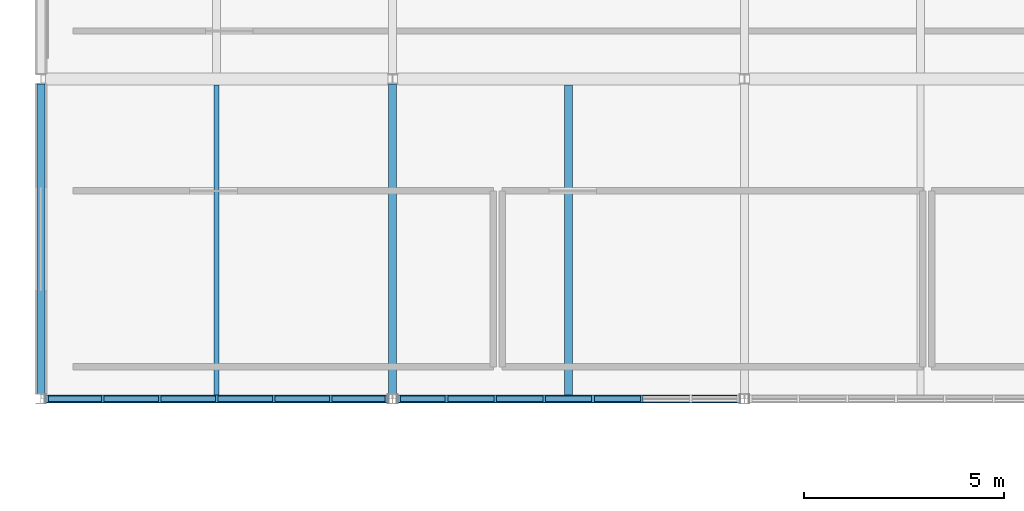
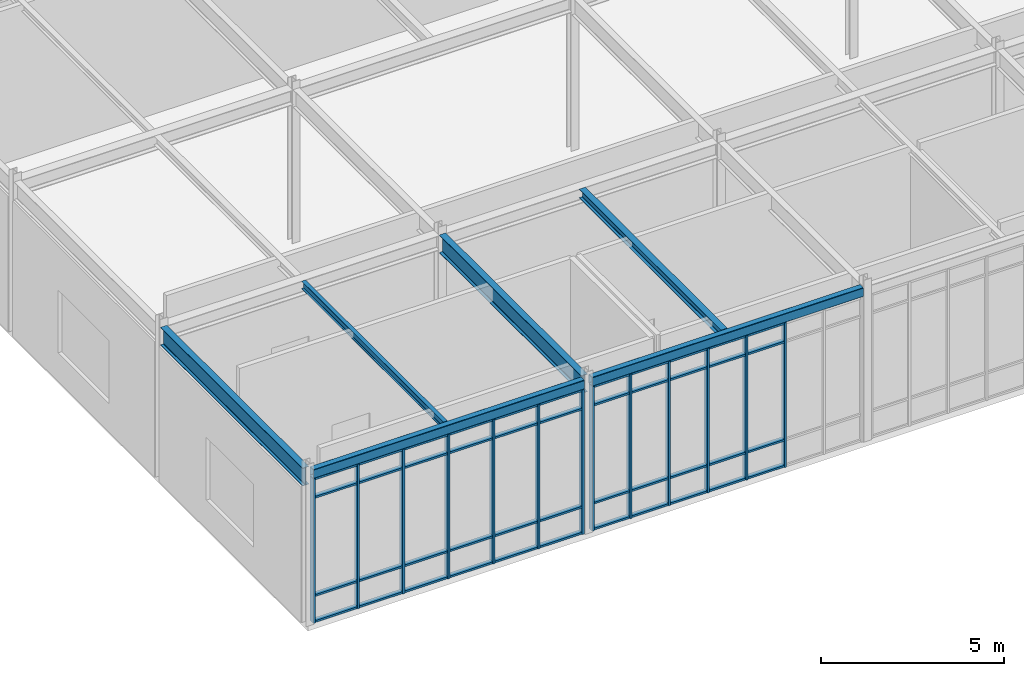
# One storey, part 25 of 184: 57 members, 6 beams, 2 elements without a shape of their own.
"""IFC4 building model written with IfcOpenShell, lengths in metres."""

from ifc_helpers import new_model, si_unit, direction, frame, origin, origin_2d, place, context, subcontext, project, spatial, rectangle, hollow_rectangle, i_section, extrude, material, material_profile, profile_set, type_object, element, aggregate, save


model = new_model("IFC4")

# Units and contexts
model_context = context("Model", 3, precision=1e-05, world=origin(), true_north=direction((0.0, 1.0)))
body_context = subcontext(model_context, "Body", "Model", "MODEL_VIEW")
ifc_project = project(units=[si_unit("LENGTHUNIT", "METRE"), si_unit("AREAUNIT", "SQUARE_METRE"), si_unit("VOLUMEUNIT", "CUBIC_METRE"), si_unit("PLANEANGLEUNIT", "RADIAN"), si_unit("MASSUNIT", "GRAM", prefix="KILO")], contexts=[model_context])

# Site, building, storey
site_placement = place(None, origin())
site = spatial("IfcSite", under=ifc_project, at=site_placement, CompositionType="ELEMENT")
building_placement = place(site_placement, origin())
building = spatial("IfcBuilding", under=site, at=building_placement, Name="Zhaolan Boulevard Law Courts", CompositionType="ELEMENT")
storey_placement = place(building_placement, frame((0.0, 0.0, 5.39990234375)))
storey = spatial("IfcBuildingStorey", under=building, at=storey_placement, Name="L01", CompositionType="ELEMENT", Elevation=5.39990234375)

# Curtain wall, members
ifc_material_1 = material(Name="Thermally broken aluminium and low-E glazing", Category="aluminium")
curtain_wall_type_1 = type_object("IfcCurtainWallType", Name="CURTAIN WALL M4", PredefinedType="USERDEFINED", material=ifc_material_1)
curtain_wall_1_placement = place(storey_placement, origin())
curtain_wall_1 = element("IfcCurtainWall", 1, at=curtain_wall_1_placement, inside=storey, type_object=curtain_wall_type_1, Name="Curtain Wall CW-L01-028", ObjectType="CURTAIN WALL", PredefinedType="USERDEFINED")
ifc_material_2 = material(Name="Fluorocarbon-coated aluminium 6063-T6", Category="aluminium")
ifc_material_profile_1 = material_profile(ifc_material_2, rectangle(XDim=0.179931640625, YDim=0.06494140625, at=origin_2d()), Name="AL65x180")
ifc_profile_set_1 = profile_set([ifc_material_profile_1], Name="Fluorocarbon-coated aluminium 6063-T6")
member_type_1 = type_object("IfcMemberType", Name="CWMULLION 65X180", PredefinedType="MULLION", material=ifc_profile_set_1)
member_1_placement = place(storey_placement, frame((0.159423828125, 6.0, 0.0), z_axis=(0.0, 0.0, 1.0), x_axis=(0.0, 1.0, 0.0)))
member_1 = element("IfcMember", 2, at=member_1_placement, type_object=member_type_1, Name="CW-L01-028 mullion 1", PredefinedType="MULLION", context=body_context, shape_type="SweptSolid", body=[
    extrude(rectangle(XDim=0.179931640625, YDim=0.06494140625, at=origin_2d()), origin(), (0.0, 0.0, 1.0), 4.822998046875),
])
member_2_placement = place(storey_placement, frame((1.55126953125, 6.0, 0.0), z_axis=(0.0, 0.0, 1.0), x_axis=(0.0, 1.0, 0.0)))
member_2 = element("IfcMember", 3, at=member_2_placement, type_object=member_type_1, Name="CW-L01-028 mullion 2", PredefinedType="MULLION", context=body_context, shape_type="SweptSolid", body=[
    extrude(rectangle(XDim=0.179931640625, YDim=0.06494140625, at=origin_2d()), origin(), (0.0, 0.0, 1.0), 4.822998046875),
])
member_3_placement = place(storey_placement, frame((2.9755859375, 6.0, 0.0), z_axis=(0.0, 0.0, 1.0), x_axis=(0.0, 1.0, 0.0)))
member_3 = element("IfcMember", 4, at=member_3_placement, type_object=member_type_1, Name="CW-L01-028 mullion 3", PredefinedType="MULLION", context=body_context, shape_type="SweptSolid", body=[
    extrude(rectangle(XDim=0.179931640625, YDim=0.06494140625, at=origin_2d()), origin(), (0.0, 0.0, 1.0), 4.822998046875),
])
member_4_placement = place(storey_placement, frame((4.39990234375, 6.0, 0.0), z_axis=(0.0, 0.0, 1.0), x_axis=(0.0, 1.0, 0.0)))
member_4 = element("IfcMember", 5, at=member_4_placement, type_object=member_type_1, Name="CW-L01-028 mullion 4", PredefinedType="MULLION", context=body_context, shape_type="SweptSolid", body=[
    extrude(rectangle(XDim=0.179931640625, YDim=0.06494140625, at=origin_2d()), origin(), (0.0, 0.0, 1.0), 4.822998046875),
])
member_5_placement = place(storey_placement, frame((5.82421875, 6.0, 0.0), z_axis=(0.0, 0.0, 1.0), x_axis=(0.0, 1.0, 0.0)))
member_5 = element("IfcMember", 6, at=member_5_placement, type_object=member_type_1, Name="CW-L01-028 mullion 5", PredefinedType="MULLION", context=body_context, shape_type="SweptSolid", body=[
    extrude(rectangle(XDim=0.179931640625, YDim=0.06494140625, at=origin_2d()), origin(), (0.0, 0.0, 1.0), 4.822998046875),
])
member_6_placement = place(storey_placement, frame((7.248779296875, 6.0, 0.0), z_axis=(0.0, 0.0, 1.0), x_axis=(0.0, 1.0, 0.0)))
member_6 = element("IfcMember", 7, at=member_6_placement, type_object=member_type_1, Name="CW-L01-028 mullion 6", PredefinedType="MULLION", context=body_context, shape_type="SweptSolid", body=[
    extrude(rectangle(XDim=0.179931640625, YDim=0.06494140625, at=origin_2d()), origin(), (0.0, 0.0, 1.0), 4.822998046875),
])
member_7_placement = place(storey_placement, frame((8.640380859375, 6.0, 0.0), z_axis=(0.0, 0.0, 1.0), x_axis=(0.0, 1.0, 0.0)))
member_7 = element("IfcMember", 8, at=member_7_placement, type_object=member_type_1, Name="CW-L01-028 mullion 7", PredefinedType="MULLION", context=body_context, shape_type="SweptSolid", body=[
    extrude(rectangle(XDim=0.179931640625, YDim=0.06494140625, at=origin_2d()), origin(), (0.0, 0.0, 1.0), 4.822998046875),
])

ifc_material_3 = material(Name="Thermally broken aluminium and low-E glazing", Category="aluminium")
curtain_wall_type_2 = type_object("IfcCurtainWallType", Name="CURTAIN WALL M5", PredefinedType="USERDEFINED", material=ifc_material_3)
curtain_wall_2_placement = place(storey_placement, origin())
curtain_wall_2 = element("IfcCurtainWall", 9, at=curtain_wall_2_placement, inside=storey, type_object=curtain_wall_type_2, Name="Curtain Wall CW-L01-029", ObjectType="CURTAIN WALL", PredefinedType="USERDEFINED")
member_8_placement = place(storey_placement, frame((8.95947265625, 6.0, 0.0), z_axis=(0.0, 0.0, 1.0), x_axis=(0.0, 1.0, 0.0)))
member_8 = element("IfcMember", 10, at=member_8_placement, type_object=member_type_1, Name="CW-L01-029 mullion 1", PredefinedType="MULLION", context=body_context, shape_type="SweptSolid", body=[
    extrude(rectangle(XDim=0.179931640625, YDim=0.06494140625, at=origin_2d()), origin(), (0.0, 0.0, 1.0), 4.822998046875),
])
member_9_placement = place(storey_placement, frame((10.14794921875, 6.0, 0.0), z_axis=(0.0, 0.0, 1.0), x_axis=(0.0, 1.0, 0.0)))
member_9 = element("IfcMember", 11, at=member_9_placement, type_object=member_type_1, Name="CW-L01-029 mullion 2", PredefinedType="MULLION", context=body_context, shape_type="SweptSolid", body=[
    extrude(rectangle(XDim=0.179931640625, YDim=0.06494140625, at=origin_2d()), origin(), (0.0, 0.0, 1.0), 4.822998046875),
])
member_10_placement = place(storey_placement, frame((11.36865234375, 6.0, 0.0), z_axis=(0.0, 0.0, 1.0), x_axis=(0.0, 1.0, 0.0)))
member_10 = element("IfcMember", 12, at=member_10_placement, type_object=member_type_1, Name="CW-L01-029 mullion 3", PredefinedType="MULLION", context=body_context, shape_type="SweptSolid", body=[
    extrude(rectangle(XDim=0.179931640625, YDim=0.06494140625, at=origin_2d()), origin(), (0.0, 0.0, 1.0), 4.822998046875),
])
member_11_placement = place(storey_placement, frame((12.589599609375, 6.0, 0.0), z_axis=(0.0, 0.0, 1.0), x_axis=(0.0, 1.0, 0.0)))
member_11 = element("IfcMember", 13, at=member_11_placement, type_object=member_type_1, Name="CW-L01-029 mullion 4", PredefinedType="MULLION", context=body_context, shape_type="SweptSolid", body=[
    extrude(rectangle(XDim=0.179931640625, YDim=0.06494140625, at=origin_2d()), origin(), (0.0, 0.0, 1.0), 4.822998046875),
])
member_12_placement = place(storey_placement, frame((13.810546875, 6.0, 0.0), z_axis=(0.0, 0.0, 1.0), x_axis=(0.0, 1.0, 0.0)))
member_12 = element("IfcMember", 14, at=member_12_placement, type_object=member_type_1, Name="CW-L01-029 mullion 5", PredefinedType="MULLION", context=body_context, shape_type="SweptSolid", body=[
    extrude(rectangle(XDim=0.179931640625, YDim=0.06494140625, at=origin_2d()), origin(), (0.0, 0.0, 1.0), 4.822998046875),
])
member_13_placement = place(storey_placement, frame((15.03125, 6.0, 0.0), z_axis=(0.0, 0.0, 1.0), x_axis=(0.0, 1.0, 0.0)))
member_13 = element("IfcMember", 15, at=member_13_placement, type_object=member_type_1, Name="CW-L01-029 mullion 6", PredefinedType="MULLION", context=body_context, shape_type="SweptSolid", body=[
    extrude(rectangle(XDim=0.179931640625, YDim=0.06494140625, at=origin_2d()), origin(), (0.0, 0.0, 1.0), 4.822998046875),
])

# Member
ifc_material_4 = material(Name="Fluorocarbon-coated aluminium 6063-T6", Category="aluminium")
ifc_material_profile_2 = material_profile(ifc_material_4, rectangle(XDim=0.139892578125, YDim=0.06494140625, at=origin_2d()), Name="AL65x140")
ifc_profile_set_2 = profile_set([ifc_material_profile_2], Name="Fluorocarbon-coated aluminium 6063-T6")
member_type_2 = type_object("IfcMemberType", Name="CWTRANSOM 65X140", PredefinedType="USERDEFINED", material=ifc_profile_set_2)
member_14_placement = place(storey_placement, frame((0.19189453125, 6.0, 0.03271484375), z_axis=(1.0, 0.0, 0.0), x_axis=(0.0, 1.0, 0.0)))
member_14 = element("IfcMember", 16, at=member_14_placement, type_object=member_type_2, Name="CW-L01-028 transom 1.1", ObjectType="TRANSOM", PredefinedType="USERDEFINED", context=body_context, shape_type="SweptSolid", body=[
    extrude(rectangle(XDim=0.139892578125, YDim=0.06494140625, at=origin_2d()), origin(), (0.0, 0.0, 1.0), 1.326904296875),
])

member_15_placement = place(storey_placement, frame((0.19189453125, 6.0, 0.900146484375), z_axis=(1.0, 0.0, 0.0), x_axis=(0.0, 1.0, 0.0)))
member_15 = element("IfcMember", 17, at=member_15_placement, type_object=member_type_2, Name="CW-L01-028 transom 1.2", ObjectType="TRANSOM", PredefinedType="USERDEFINED", context=body_context, shape_type="SweptSolid", body=[
    extrude(rectangle(XDim=0.139892578125, YDim=0.06494140625, at=origin_2d()), origin(), (0.0, 0.0, 1.0), 1.326904296875),
])

member_16_placement = place(storey_placement, frame((0.19189453125, 6.0, 4.173095703125), z_axis=(1.0, 0.0, 0.0), x_axis=(0.0, 1.0, 0.0)))
member_16 = element("IfcMember", 18, at=member_16_placement, type_object=member_type_2, Name="CW-L01-028 transom 1.3", ObjectType="TRANSOM", PredefinedType="USERDEFINED", context=body_context, shape_type="SweptSolid", body=[
    extrude(rectangle(XDim=0.139892578125, YDim=0.06494140625, at=origin_2d()), origin(), (0.0, 0.0, 1.0), 1.326904296875),
])

member_17_placement = place(storey_placement, frame((0.19189453125, 6.0, 4.79052734375), z_axis=(1.0, 0.0, 0.0), x_axis=(0.0, 1.0, 0.0)))
member_17 = element("IfcMember", 19, at=member_17_placement, type_object=member_type_2, Name="CW-L01-028 transom 1.4", ObjectType="TRANSOM", PredefinedType="USERDEFINED", context=body_context, shape_type="SweptSolid", body=[
    extrude(rectangle(XDim=0.139892578125, YDim=0.06494140625, at=origin_2d()), origin(), (0.0, 0.0, 1.0), 1.326904296875),
])

member_18_placement = place(storey_placement, frame((1.583740234375, 6.0, 0.03271484375), z_axis=(1.0, 0.0, 0.0), x_axis=(0.0, 1.0, 0.0)))
member_18 = element("IfcMember", 20, at=member_18_placement, type_object=member_type_2, Name="CW-L01-028 transom 2.1", ObjectType="TRANSOM", PredefinedType="USERDEFINED", context=body_context, shape_type="SweptSolid", body=[
    extrude(rectangle(XDim=0.139892578125, YDim=0.06494140625, at=origin_2d()), origin(), (0.0, 0.0, 1.0), 1.359375),
])

member_19_placement = place(storey_placement, frame((1.583740234375, 6.0, 0.900146484375), z_axis=(1.0, 0.0, 0.0), x_axis=(0.0, 1.0, 0.0)))
member_19 = element("IfcMember", 21, at=member_19_placement, type_object=member_type_2, Name="CW-L01-028 transom 2.2", ObjectType="TRANSOM", PredefinedType="USERDEFINED", context=body_context, shape_type="SweptSolid", body=[
    extrude(rectangle(XDim=0.139892578125, YDim=0.06494140625, at=origin_2d()), origin(), (0.0, 0.0, 1.0), 1.359375),
])

member_20_placement = place(storey_placement, frame((1.583740234375, 6.0, 4.173095703125), z_axis=(1.0, 0.0, 0.0), x_axis=(0.0, 1.0, 0.0)))
member_20 = element("IfcMember", 22, at=member_20_placement, type_object=member_type_2, Name="CW-L01-028 transom 2.3", ObjectType="TRANSOM", PredefinedType="USERDEFINED", context=body_context, shape_type="SweptSolid", body=[
    extrude(rectangle(XDim=0.139892578125, YDim=0.06494140625, at=origin_2d()), origin(), (0.0, 0.0, 1.0), 1.359375),
])

member_21_placement = place(storey_placement, frame((1.583740234375, 6.0, 4.79052734375), z_axis=(1.0, 0.0, 0.0), x_axis=(0.0, 1.0, 0.0)))
member_21 = element("IfcMember", 23, at=member_21_placement, type_object=member_type_2, Name="CW-L01-028 transom 2.4", ObjectType="TRANSOM", PredefinedType="USERDEFINED", context=body_context, shape_type="SweptSolid", body=[
    extrude(rectangle(XDim=0.139892578125, YDim=0.06494140625, at=origin_2d()), origin(), (0.0, 0.0, 1.0), 1.359375),
])

member_22_placement = place(storey_placement, frame((3.008056640625, 6.0, 0.03271484375), z_axis=(1.0, 0.0, 0.0), x_axis=(0.0, 1.0, 0.0)))
member_22 = element("IfcMember", 24, at=member_22_placement, type_object=member_type_2, Name="CW-L01-028 transom 3.1", ObjectType="TRANSOM", PredefinedType="USERDEFINED", context=body_context, shape_type="SweptSolid", body=[
    extrude(rectangle(XDim=0.139892578125, YDim=0.06494140625, at=origin_2d()), origin(), (0.0, 0.0, 1.0), 1.359375),
])

member_23_placement = place(storey_placement, frame((3.008056640625, 6.0, 0.900146484375), z_axis=(1.0, 0.0, 0.0), x_axis=(0.0, 1.0, 0.0)))
member_23 = element("IfcMember", 25, at=member_23_placement, type_object=member_type_2, Name="CW-L01-028 transom 3.2", ObjectType="TRANSOM", PredefinedType="USERDEFINED", context=body_context, shape_type="SweptSolid", body=[
    extrude(rectangle(XDim=0.139892578125, YDim=0.06494140625, at=origin_2d()), origin(), (0.0, 0.0, 1.0), 1.359375),
])

member_24_placement = place(storey_placement, frame((3.008056640625, 6.0, 4.173095703125), z_axis=(1.0, 0.0, 0.0), x_axis=(0.0, 1.0, 0.0)))
member_24 = element("IfcMember", 26, at=member_24_placement, type_object=member_type_2, Name="CW-L01-028 transom 3.3", ObjectType="TRANSOM", PredefinedType="USERDEFINED", context=body_context, shape_type="SweptSolid", body=[
    extrude(rectangle(XDim=0.139892578125, YDim=0.06494140625, at=origin_2d()), origin(), (0.0, 0.0, 1.0), 1.359375),
])

member_25_placement = place(storey_placement, frame((3.008056640625, 6.0, 4.79052734375), z_axis=(1.0, 0.0, 0.0), x_axis=(0.0, 1.0, 0.0)))
member_25 = element("IfcMember", 27, at=member_25_placement, type_object=member_type_2, Name="CW-L01-028 transom 3.4", ObjectType="TRANSOM", PredefinedType="USERDEFINED", context=body_context, shape_type="SweptSolid", body=[
    extrude(rectangle(XDim=0.139892578125, YDim=0.06494140625, at=origin_2d()), origin(), (0.0, 0.0, 1.0), 1.359375),
])

member_26_placement = place(storey_placement, frame((4.4326171875, 6.0, 0.03271484375), z_axis=(1.0, 0.0, 0.0), x_axis=(0.0, 1.0, 0.0)))
member_26 = element("IfcMember", 28, at=member_26_placement, type_object=member_type_2, Name="CW-L01-028 transom 4.1", ObjectType="TRANSOM", PredefinedType="USERDEFINED", context=body_context, shape_type="SweptSolid", body=[
    extrude(rectangle(XDim=0.139892578125, YDim=0.06494140625, at=origin_2d()), origin(), (0.0, 0.0, 1.0), 1.359130859375),
])

member_27_placement = place(storey_placement, frame((4.4326171875, 6.0, 0.900146484375), z_axis=(1.0, 0.0, 0.0), x_axis=(0.0, 1.0, 0.0)))
member_27 = element("IfcMember", 29, at=member_27_placement, type_object=member_type_2, Name="CW-L01-028 transom 4.2", ObjectType="TRANSOM", PredefinedType="USERDEFINED", context=body_context, shape_type="SweptSolid", body=[
    extrude(rectangle(XDim=0.139892578125, YDim=0.06494140625, at=origin_2d()), origin(), (0.0, 0.0, 1.0), 1.359130859375),
])

member_28_placement = place(storey_placement, frame((4.4326171875, 6.0, 4.173095703125), z_axis=(1.0, 0.0, 0.0), x_axis=(0.0, 1.0, 0.0)))
member_28 = element("IfcMember", 30, at=member_28_placement, type_object=member_type_2, Name="CW-L01-028 transom 4.3", ObjectType="TRANSOM", PredefinedType="USERDEFINED", context=body_context, shape_type="SweptSolid", body=[
    extrude(rectangle(XDim=0.139892578125, YDim=0.06494140625, at=origin_2d()), origin(), (0.0, 0.0, 1.0), 1.359130859375),
])

member_29_placement = place(storey_placement, frame((4.4326171875, 6.0, 4.79052734375), z_axis=(1.0, 0.0, 0.0), x_axis=(0.0, 1.0, 0.0)))
member_29 = element("IfcMember", 31, at=member_29_placement, type_object=member_type_2, Name="CW-L01-028 transom 4.4", ObjectType="TRANSOM", PredefinedType="USERDEFINED", context=body_context, shape_type="SweptSolid", body=[
    extrude(rectangle(XDim=0.139892578125, YDim=0.06494140625, at=origin_2d()), origin(), (0.0, 0.0, 1.0), 1.359130859375),
])

member_30_placement = place(storey_placement, frame((5.85693359375, 6.0, 0.03271484375), z_axis=(1.0, 0.0, 0.0), x_axis=(0.0, 1.0, 0.0)))
member_30 = element("IfcMember", 32, at=member_30_placement, type_object=member_type_2, Name="CW-L01-028 transom 5.1", ObjectType="TRANSOM", PredefinedType="USERDEFINED", context=body_context, shape_type="SweptSolid", body=[
    extrude(rectangle(XDim=0.139892578125, YDim=0.06494140625, at=origin_2d()), origin(), (0.0, 0.0, 1.0), 1.359130859375),
])

member_31_placement = place(storey_placement, frame((5.85693359375, 6.0, 0.900146484375), z_axis=(1.0, 0.0, 0.0), x_axis=(0.0, 1.0, 0.0)))
member_31 = element("IfcMember", 33, at=member_31_placement, type_object=member_type_2, Name="CW-L01-028 transom 5.2", ObjectType="TRANSOM", PredefinedType="USERDEFINED", context=body_context, shape_type="SweptSolid", body=[
    extrude(rectangle(XDim=0.139892578125, YDim=0.06494140625, at=origin_2d()), origin(), (0.0, 0.0, 1.0), 1.359130859375),
])

member_32_placement = place(storey_placement, frame((5.85693359375, 6.0, 4.173095703125), z_axis=(1.0, 0.0, 0.0), x_axis=(0.0, 1.0, 0.0)))
member_32 = element("IfcMember", 34, at=member_32_placement, type_object=member_type_2, Name="CW-L01-028 transom 5.3", ObjectType="TRANSOM", PredefinedType="USERDEFINED", context=body_context, shape_type="SweptSolid", body=[
    extrude(rectangle(XDim=0.139892578125, YDim=0.06494140625, at=origin_2d()), origin(), (0.0, 0.0, 1.0), 1.359130859375),
])

member_33_placement = place(storey_placement, frame((5.85693359375, 6.0, 4.79052734375), z_axis=(1.0, 0.0, 0.0), x_axis=(0.0, 1.0, 0.0)))
member_33 = element("IfcMember", 35, at=member_33_placement, type_object=member_type_2, Name="CW-L01-028 transom 5.4", ObjectType="TRANSOM", PredefinedType="USERDEFINED", context=body_context, shape_type="SweptSolid", body=[
    extrude(rectangle(XDim=0.139892578125, YDim=0.06494140625, at=origin_2d()), origin(), (0.0, 0.0, 1.0), 1.359130859375),
])

member_34_placement = place(storey_placement, frame((7.28125, 6.0, 0.03271484375), z_axis=(1.0, 0.0, 0.0), x_axis=(0.0, 1.0, 0.0)))
member_34 = element("IfcMember", 36, at=member_34_placement, type_object=member_type_2, Name="CW-L01-028 transom 6.1", ObjectType="TRANSOM", PredefinedType="USERDEFINED", context=body_context, shape_type="SweptSolid", body=[
    extrude(rectangle(XDim=0.139892578125, YDim=0.06494140625, at=origin_2d()), origin(), (0.0, 0.0, 1.0), 1.32666015625),
])

member_35_placement = place(storey_placement, frame((7.28125, 6.0, 0.900146484375), z_axis=(1.0, 0.0, 0.0), x_axis=(0.0, 1.0, 0.0)))
member_35 = element("IfcMember", 37, at=member_35_placement, type_object=member_type_2, Name="CW-L01-028 transom 6.2", ObjectType="TRANSOM", PredefinedType="USERDEFINED", context=body_context, shape_type="SweptSolid", body=[
    extrude(rectangle(XDim=0.139892578125, YDim=0.06494140625, at=origin_2d()), origin(), (0.0, 0.0, 1.0), 1.32666015625),
])

member_36_placement = place(storey_placement, frame((7.28125, 6.0, 4.173095703125), z_axis=(1.0, 0.0, 0.0), x_axis=(0.0, 1.0, 0.0)))
member_36 = element("IfcMember", 38, at=member_36_placement, type_object=member_type_2, Name="CW-L01-028 transom 6.3", ObjectType="TRANSOM", PredefinedType="USERDEFINED", context=body_context, shape_type="SweptSolid", body=[
    extrude(rectangle(XDim=0.139892578125, YDim=0.06494140625, at=origin_2d()), origin(), (0.0, 0.0, 1.0), 1.32666015625),
])

member_37_placement = place(storey_placement, frame((7.28125, 6.0, 4.79052734375), z_axis=(1.0, 0.0, 0.0), x_axis=(0.0, 1.0, 0.0)))
member_37 = element("IfcMember", 39, at=member_37_placement, type_object=member_type_2, Name="CW-L01-028 transom 6.4", ObjectType="TRANSOM", PredefinedType="USERDEFINED", context=body_context, shape_type="SweptSolid", body=[
    extrude(rectangle(XDim=0.139892578125, YDim=0.06494140625, at=origin_2d()), origin(), (0.0, 0.0, 1.0), 1.32666015625),
])

aggregate(curtain_wall_1, [member_1, member_2, member_3, member_4, member_5, member_6, member_7, member_14, member_15, member_16, member_17, member_18, member_19, member_20, member_21, member_22, member_23, member_24, member_25, member_26, member_27, member_28, member_29, member_30, member_31, member_32, member_33, member_34, member_35, member_36, member_37])

member_38_placement = place(storey_placement, frame((8.991943359375, 6.0, 0.03271484375), z_axis=(1.0, 0.0, 0.0), x_axis=(0.0, 1.0, 0.0)))
member_38 = element("IfcMember", 40, at=member_38_placement, type_object=member_type_2, Name="CW-L01-029 transom 1.1", ObjectType="TRANSOM", PredefinedType="USERDEFINED", context=body_context, shape_type="SweptSolid", body=[
    extrude(rectangle(XDim=0.139892578125, YDim=0.06494140625, at=origin_2d()), origin(), (0.0, 0.0, 1.0), 1.12353515625),
])

member_39_placement = place(storey_placement, frame((8.991943359375, 6.0, 0.900146484375), z_axis=(1.0, 0.0, 0.0), x_axis=(0.0, 1.0, 0.0)))
member_39 = element("IfcMember", 41, at=member_39_placement, type_object=member_type_2, Name="CW-L01-029 transom 1.2", ObjectType="TRANSOM", PredefinedType="USERDEFINED", context=body_context, shape_type="SweptSolid", body=[
    extrude(rectangle(XDim=0.139892578125, YDim=0.06494140625, at=origin_2d()), origin(), (0.0, 0.0, 1.0), 1.12353515625),
])

member_40_placement = place(storey_placement, frame((8.991943359375, 6.0, 4.173095703125), z_axis=(1.0, 0.0, 0.0), x_axis=(0.0, 1.0, 0.0)))
member_40 = element("IfcMember", 42, at=member_40_placement, type_object=member_type_2, Name="CW-L01-029 transom 1.3", ObjectType="TRANSOM", PredefinedType="USERDEFINED", context=body_context, shape_type="SweptSolid", body=[
    extrude(rectangle(XDim=0.139892578125, YDim=0.06494140625, at=origin_2d()), origin(), (0.0, 0.0, 1.0), 1.12353515625),
])

member_41_placement = place(storey_placement, frame((8.991943359375, 6.0, 4.79052734375), z_axis=(1.0, 0.0, 0.0), x_axis=(0.0, 1.0, 0.0)))
member_41 = element("IfcMember", 43, at=member_41_placement, type_object=member_type_2, Name="CW-L01-029 transom 1.4", ObjectType="TRANSOM", PredefinedType="USERDEFINED", context=body_context, shape_type="SweptSolid", body=[
    extrude(rectangle(XDim=0.139892578125, YDim=0.06494140625, at=origin_2d()), origin(), (0.0, 0.0, 1.0), 1.12353515625),
])

member_42_placement = place(storey_placement, frame((10.180419921875, 6.0, 0.03271484375), z_axis=(1.0, 0.0, 0.0), x_axis=(0.0, 1.0, 0.0)))
member_42 = element("IfcMember", 44, at=member_42_placement, type_object=member_type_2, Name="CW-L01-029 transom 2.1", ObjectType="TRANSOM", PredefinedType="USERDEFINED", context=body_context, shape_type="SweptSolid", body=[
    extrude(rectangle(XDim=0.139892578125, YDim=0.06494140625, at=origin_2d()), origin(), (0.0, 0.0, 1.0), 1.15576171875),
])

member_43_placement = place(storey_placement, frame((10.180419921875, 6.0, 0.900146484375), z_axis=(1.0, 0.0, 0.0), x_axis=(0.0, 1.0, 0.0)))
member_43 = element("IfcMember", 45, at=member_43_placement, type_object=member_type_2, Name="CW-L01-029 transom 2.2", ObjectType="TRANSOM", PredefinedType="USERDEFINED", context=body_context, shape_type="SweptSolid", body=[
    extrude(rectangle(XDim=0.139892578125, YDim=0.06494140625, at=origin_2d()), origin(), (0.0, 0.0, 1.0), 1.15576171875),
])

member_44_placement = place(storey_placement, frame((10.180419921875, 6.0, 4.173095703125), z_axis=(1.0, 0.0, 0.0), x_axis=(0.0, 1.0, 0.0)))
member_44 = element("IfcMember", 46, at=member_44_placement, type_object=member_type_2, Name="CW-L01-029 transom 2.3", ObjectType="TRANSOM", PredefinedType="USERDEFINED", context=body_context, shape_type="SweptSolid", body=[
    extrude(rectangle(XDim=0.139892578125, YDim=0.06494140625, at=origin_2d()), origin(), (0.0, 0.0, 1.0), 1.15576171875),
])

member_45_placement = place(storey_placement, frame((10.180419921875, 6.0, 4.79052734375), z_axis=(1.0, 0.0, 0.0), x_axis=(0.0, 1.0, 0.0)))
member_45 = element("IfcMember", 47, at=member_45_placement, type_object=member_type_2, Name="CW-L01-029 transom 2.4", ObjectType="TRANSOM", PredefinedType="USERDEFINED", context=body_context, shape_type="SweptSolid", body=[
    extrude(rectangle(XDim=0.139892578125, YDim=0.06494140625, at=origin_2d()), origin(), (0.0, 0.0, 1.0), 1.15576171875),
])

member_46_placement = place(storey_placement, frame((11.401123046875, 6.0, 0.03271484375), z_axis=(1.0, 0.0, 0.0), x_axis=(0.0, 1.0, 0.0)))
member_46 = element("IfcMember", 48, at=member_46_placement, type_object=member_type_2, Name="CW-L01-029 transom 3.1", ObjectType="TRANSOM", PredefinedType="USERDEFINED", context=body_context, shape_type="SweptSolid", body=[
    extrude(rectangle(XDim=0.139892578125, YDim=0.06494140625, at=origin_2d()), origin(), (0.0, 0.0, 1.0), 1.156005859375),
])

member_47_placement = place(storey_placement, frame((11.401123046875, 6.0, 0.900146484375), z_axis=(1.0, 0.0, 0.0), x_axis=(0.0, 1.0, 0.0)))
member_47 = element("IfcMember", 49, at=member_47_placement, type_object=member_type_2, Name="CW-L01-029 transom 3.2", ObjectType="TRANSOM", PredefinedType="USERDEFINED", context=body_context, shape_type="SweptSolid", body=[
    extrude(rectangle(XDim=0.139892578125, YDim=0.06494140625, at=origin_2d()), origin(), (0.0, 0.0, 1.0), 1.156005859375),
])

member_48_placement = place(storey_placement, frame((11.401123046875, 6.0, 4.173095703125), z_axis=(1.0, 0.0, 0.0), x_axis=(0.0, 1.0, 0.0)))
member_48 = element("IfcMember", 50, at=member_48_placement, type_object=member_type_2, Name="CW-L01-029 transom 3.3", ObjectType="TRANSOM", PredefinedType="USERDEFINED", context=body_context, shape_type="SweptSolid", body=[
    extrude(rectangle(XDim=0.139892578125, YDim=0.06494140625, at=origin_2d()), origin(), (0.0, 0.0, 1.0), 1.156005859375),
])

member_49_placement = place(storey_placement, frame((11.401123046875, 6.0, 4.79052734375), z_axis=(1.0, 0.0, 0.0), x_axis=(0.0, 1.0, 0.0)))
member_49 = element("IfcMember", 51, at=member_49_placement, type_object=member_type_2, Name="CW-L01-029 transom 3.4", ObjectType="TRANSOM", PredefinedType="USERDEFINED", context=body_context, shape_type="SweptSolid", body=[
    extrude(rectangle(XDim=0.139892578125, YDim=0.06494140625, at=origin_2d()), origin(), (0.0, 0.0, 1.0), 1.156005859375),
])

member_50_placement = place(storey_placement, frame((12.6220703125, 6.0, 0.03271484375), z_axis=(1.0, 0.0, 0.0), x_axis=(0.0, 1.0, 0.0)))
member_50 = element("IfcMember", 52, at=member_50_placement, type_object=member_type_2, Name="CW-L01-029 transom 4.1", ObjectType="TRANSOM", PredefinedType="USERDEFINED", context=body_context, shape_type="SweptSolid", body=[
    extrude(rectangle(XDim=0.139892578125, YDim=0.06494140625, at=origin_2d()), origin(), (0.0, 0.0, 1.0), 1.15576171875),
])

member_51_placement = place(storey_placement, frame((12.6220703125, 6.0, 0.900146484375), z_axis=(1.0, 0.0, 0.0), x_axis=(0.0, 1.0, 0.0)))
member_51 = element("IfcMember", 53, at=member_51_placement, type_object=member_type_2, Name="CW-L01-029 transom 4.2", ObjectType="TRANSOM", PredefinedType="USERDEFINED", context=body_context, shape_type="SweptSolid", body=[
    extrude(rectangle(XDim=0.139892578125, YDim=0.06494140625, at=origin_2d()), origin(), (0.0, 0.0, 1.0), 1.15576171875),
])

member_52_placement = place(storey_placement, frame((12.6220703125, 6.0, 4.173095703125), z_axis=(1.0, 0.0, 0.0), x_axis=(0.0, 1.0, 0.0)))
member_52 = element("IfcMember", 54, at=member_52_placement, type_object=member_type_2, Name="CW-L01-029 transom 4.3", ObjectType="TRANSOM", PredefinedType="USERDEFINED", context=body_context, shape_type="SweptSolid", body=[
    extrude(rectangle(XDim=0.139892578125, YDim=0.06494140625, at=origin_2d()), origin(), (0.0, 0.0, 1.0), 1.15576171875),
])

member_53_placement = place(storey_placement, frame((12.6220703125, 6.0, 4.79052734375), z_axis=(1.0, 0.0, 0.0), x_axis=(0.0, 1.0, 0.0)))
member_53 = element("IfcMember", 55, at=member_53_placement, type_object=member_type_2, Name="CW-L01-029 transom 4.4", ObjectType="TRANSOM", PredefinedType="USERDEFINED", context=body_context, shape_type="SweptSolid", body=[
    extrude(rectangle(XDim=0.139892578125, YDim=0.06494140625, at=origin_2d()), origin(), (0.0, 0.0, 1.0), 1.15576171875),
])

member_54_placement = place(storey_placement, frame((13.843017578125, 6.0, 0.03271484375), z_axis=(1.0, 0.0, 0.0), x_axis=(0.0, 1.0, 0.0)))
member_54 = element("IfcMember", 56, at=member_54_placement, type_object=member_type_2, Name="CW-L01-029 transom 5.1", ObjectType="TRANSOM", PredefinedType="USERDEFINED", context=body_context, shape_type="SweptSolid", body=[
    extrude(rectangle(XDim=0.139892578125, YDim=0.06494140625, at=origin_2d()), origin(), (0.0, 0.0, 1.0), 1.15576171875),
])

member_55_placement = place(storey_placement, frame((13.843017578125, 6.0, 0.900146484375), z_axis=(1.0, 0.0, 0.0), x_axis=(0.0, 1.0, 0.0)))
member_55 = element("IfcMember", 57, at=member_55_placement, type_object=member_type_2, Name="CW-L01-029 transom 5.2", ObjectType="TRANSOM", PredefinedType="USERDEFINED", context=body_context, shape_type="SweptSolid", body=[
    extrude(rectangle(XDim=0.139892578125, YDim=0.06494140625, at=origin_2d()), origin(), (0.0, 0.0, 1.0), 1.15576171875),
])

member_56_placement = place(storey_placement, frame((13.843017578125, 6.0, 4.173095703125), z_axis=(1.0, 0.0, 0.0), x_axis=(0.0, 1.0, 0.0)))
member_56 = element("IfcMember", 58, at=member_56_placement, type_object=member_type_2, Name="CW-L01-029 transom 5.3", ObjectType="TRANSOM", PredefinedType="USERDEFINED", context=body_context, shape_type="SweptSolid", body=[
    extrude(rectangle(XDim=0.139892578125, YDim=0.06494140625, at=origin_2d()), origin(), (0.0, 0.0, 1.0), 1.15576171875),
])

member_57_placement = place(storey_placement, frame((13.843017578125, 6.0, 4.79052734375), z_axis=(1.0, 0.0, 0.0), x_axis=(0.0, 1.0, 0.0)))
member_57 = element("IfcMember", 59, at=member_57_placement, type_object=member_type_2, Name="CW-L01-029 transom 5.4", ObjectType="TRANSOM", PredefinedType="USERDEFINED", context=body_context, shape_type="SweptSolid", body=[
    extrude(rectangle(XDim=0.139892578125, YDim=0.06494140625, at=origin_2d()), origin(), (0.0, 0.0, 1.0), 1.15576171875),
])

aggregate(curtain_wall_2, [member_8, member_9, member_10, member_11, member_12, member_13, member_38, member_39, member_40, member_41, member_42, member_43, member_44, member_45, member_46, member_47, member_48, member_49, member_50, member_51, member_52, member_53, member_54, member_55, member_56, member_57])

# Beams
ifc_material_5 = material(Name="Structural steel Q355B", Category="steel")
ifc_material_profile_3 = material_profile(ifc_material_5, i_section(OverallWidth=0.199951171875, OverallDepth=0.60009765625, WebThickness=0.010986328125, FlangeThickness=0.01708984375, FilletRadius=0.02001953125, at=origin_2d()), Name="HN600x200")
ifc_profile_set_3 = profile_set([ifc_material_profile_3], Name="Structural steel Q355B")
beam_type_1 = type_object("IfcBeamType", Name="GIRDER HN600", PredefinedType="BEAM", material=ifc_profile_set_3)
for number, where, z_axis, x_axis, name in (
    (60, (0.0, 6.12109375, 4.838134765625), (0.0, 1.0, 0.0), (-1.0, 0.0, 0.0), "Beam BY-L02-1-B-C"),
    (61, (8.800048828125, 6.12109375, 4.838134765625), (0.0, 1.0, 0.0), (-1.0, 0.0, 0.0), "Beam BY-L02-2-B-C"),
):
    element("IfcBeam", number, at=place(storey_placement, frame(where, z_axis=z_axis, x_axis=x_axis)), inside=storey, type_object=beam_type_1, Name=name, PredefinedType="BEAM", context=body_context, shape_type="SweptSolid", body=[
        extrude(i_section(OverallWidth=0.199951171875, OverallDepth=0.60009765625, WebThickness=0.010986328125, FlangeThickness=0.01708984375, FilletRadius=0.02001953125, at=origin_2d()), origin(), (0.0, 0.0, 1.0), 7.7578125),
    ])
ifc_material_6 = material(Name="Structural steel Q355B", Category="steel")
ifc_material_profile_4 = material_profile(ifc_material_6, i_section(OverallWidth=0.199951171875, OverallDepth=0.2939453125, WebThickness=0.008056640625, FlangeThickness=0.011962890625, FilletRadius=0.01611328125, at=origin_2d()), Name="HM294x200")
ifc_profile_set_4 = profile_set([ifc_material_profile_4], Name="Structural steel Q355B")
beam_type_2 = type_object("IfcBeamType", Name="JOIST HM294", PredefinedType="JOIST", material=ifc_profile_set_4)
beam_1_placement = place(storey_placement, frame((13.199951171875, 6.095947265625, 4.9912109375), z_axis=(0.0, 1.0, 0.0), x_axis=(-1.0, 0.0, 0.0)))
element("IfcBeam", 62, at=beam_1_placement, inside=storey, type_object=beam_type_2, Name="Composite Joist J-L02-2B", PredefinedType="JOIST", context=body_context, shape_type="SweptSolid", body=[
    extrude(i_section(OverallWidth=0.199951171875, OverallDepth=0.2939453125, WebThickness=0.008056640625, FlangeThickness=0.011962890625, FilletRadius=0.01611328125, at=origin_2d()), origin(), (0.0, 0.0, 1.0), 7.758056640625),
])
ifc_material_7 = material(Name="Structural steel Q355B", Category="steel")
ifc_material_profile_5 = material_profile(ifc_material_7, i_section(OverallWidth=0.125, OverallDepth=0.25, WebThickness=0.006103515625, FlangeThickness=0.009033203125, FilletRadius=0.010009765625, at=origin_2d()), Name="HN250x125")
ifc_profile_set_5 = profile_set([ifc_material_profile_5], Name="Structural steel Q355B")
beam_type_3 = type_object("IfcBeamType", Name="JOIST HN250", PredefinedType="JOIST", material=ifc_profile_set_5)
beam_2_placement = place(storey_placement, frame((4.39990234375, 6.095947265625, 5.01318359375), z_axis=(0.0, 1.0, 0.0), x_axis=(-1.0, 0.0, 0.0)))
element("IfcBeam", 63, at=beam_2_placement, inside=storey, type_object=beam_type_3, Name="Composite Joist J-L02-1B", PredefinedType="JOIST", context=body_context, shape_type="SweptSolid", body=[
    extrude(i_section(OverallWidth=0.125, OverallDepth=0.25, WebThickness=0.006103515625, FlangeThickness=0.009033203125, FilletRadius=0.010009765625, at=origin_2d()), origin(), (0.0, 0.0, 1.0), 7.758056640625),
])
ifc_material_8 = material(Name="Structural steel Q355B", Category="steel")
ifc_material_profile_6 = material_profile(ifc_material_8, hollow_rectangle(XDim=0.199951171875, YDim=0.300048828125, WallThickness=0.011962890625, InnerFilletRadius=0.011962890625, OuterFilletRadius=0.02392578125, at=origin_2d()), Name="HSS300x200x12")
ifc_profile_set_6 = profile_set([ifc_material_profile_6], Name="Structural steel Q355B")
beam_type_4 = type_object("IfcBeamType", Name="SPANDREL HSS300", PredefinedType="SPANDREL", material=ifc_profile_set_6)
beam_3_placement = place(storey_placement, frame((0.12109375, 6.0, 4.988037109375), z_axis=(1.0, 0.0, 0.0), x_axis=(0.0, 1.0, 0.0)))
element("IfcBeam", 64, at=beam_3_placement, inside=storey, type_object=beam_type_4, Name="Beam BX-L02-1-2-B", PredefinedType="SPANDREL", context=body_context, shape_type="SweptSolid", body=[
    extrude(hollow_rectangle(XDim=0.199951171875, YDim=0.300048828125, WallThickness=0.011962890625, InnerFilletRadius=0.011962890625, OuterFilletRadius=0.02392578125, at=origin_2d()), origin(), (0.0, 0.0, 1.0), 8.557861328125),
])
beam_4_placement = place(storey_placement, frame((8.9208984375, 6.0, 4.988037109375), z_axis=(1.0, 0.0, 0.0), x_axis=(0.0, 1.0, 0.0)))
element("IfcBeam", 65, at=beam_4_placement, inside=storey, type_object=beam_type_4, Name="Beam BX-L02-2-3-B", PredefinedType="SPANDREL", context=body_context, shape_type="SweptSolid", body=[
    extrude(hollow_rectangle(XDim=0.199951171875, YDim=0.300048828125, WallThickness=0.011962890625, InnerFilletRadius=0.011962890625, OuterFilletRadius=0.02392578125, at=origin_2d()), origin(), (0.0, 0.0, 1.0), 8.55810546875),
])

save(model, "model.ifc")
